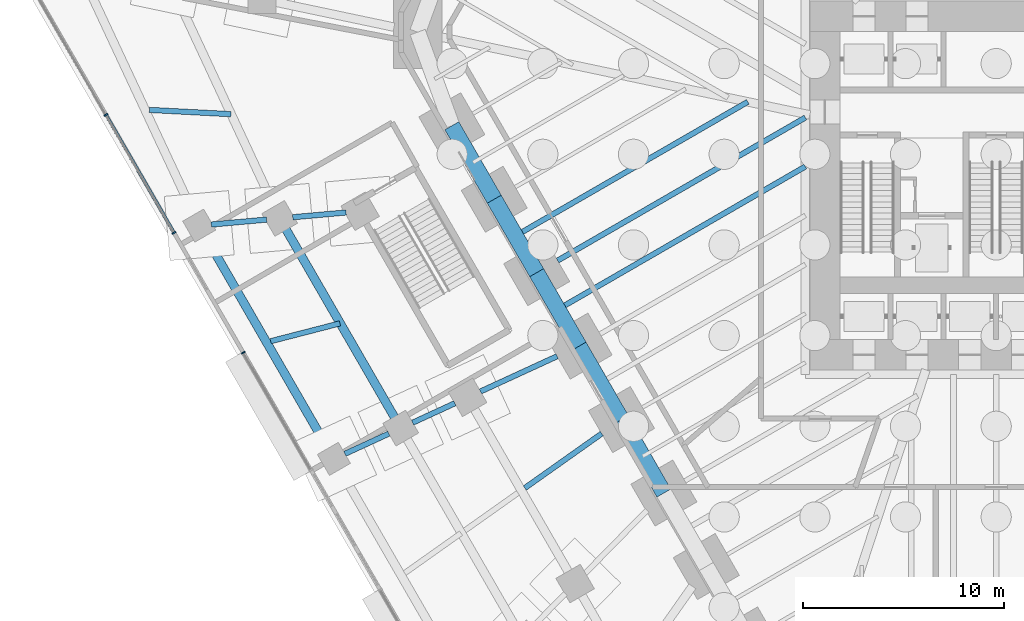
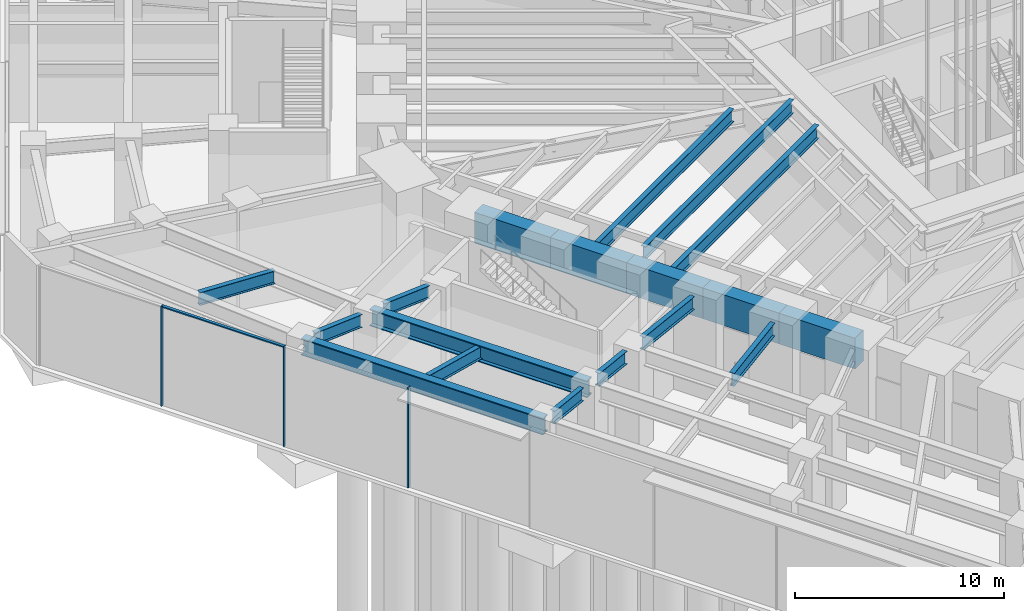
# One storey, part 6 of 34: 18 beams, 4 members, 2 elements without a shape of their own.
"""IFC4 building model written with IfcOpenShell, lengths in metres."""

from ifc_helpers import new_model, si_unit, direction, frame, origin, origin_2d, place, context, subcontext, project, spatial, rectangle, i_section, extrude, material, material_profile, profile_set, type_object, element, aggregate, save


model = new_model("IFC4")

# Units and contexts
model_context = context("Model", 3, precision=1e-05, world=origin(), true_north=direction((0.0, 1.0)))
body_context = subcontext(model_context, "Body", "Model", "MODEL_VIEW")
ifc_project = project(units=[si_unit("LENGTHUNIT", "METRE"), si_unit("AREAUNIT", "SQUARE_METRE"), si_unit("VOLUMEUNIT", "CUBIC_METRE"), si_unit("PLANEANGLEUNIT", "RADIAN"), si_unit("MASSUNIT", "GRAM", prefix="KILO")], contexts=[model_context])

# Site, building, storey
site_placement = place(None, origin())
site = spatial("IfcSite", under=ifc_project, at=site_placement, CompositionType="ELEMENT")
building_placement = place(site_placement, origin())
building = spatial("IfcBuilding", under=site, at=building_placement, Name="Sandreach Pilgrim Tower", CompositionType="ELEMENT")
storey_placement = place(building_placement, origin())
storey = spatial("IfcBuildingStorey", under=building, at=storey_placement, Name="L00", CompositionType="ELEMENT", Elevation=0.0)

# Curtain wall, member
ifc_material_1 = material(Name="Aluminium framed curtain wall", Category="aluminium")
curtain_wall_type = type_object("IfcCurtainWallType", Name="Podium storefront curtain wall", PredefinedType="NOTDEFINED", material=ifc_material_1)
curtain_wall_1_placement = place(storey_placement, origin())
curtain_wall_1 = element("IfcCurtainWall", 1, at=curtain_wall_1_placement, inside=storey, type_object=curtain_wall_type, Name="CW-P L00 SWB", PredefinedType="NOTDEFINED")
ifc_material_2 = material(Name="Aluminium extrusion", Category="aluminium")
ifc_material_profile_1 = material_profile(ifc_material_2, rectangle(XDim=0.070068359375, YDim=0.199951171875, at=origin_2d()), Name="CW-PM 70X200")
ifc_profile_set_1 = profile_set([ifc_material_profile_1], Name="Aluminium extrusion")
member_type_1 = type_object("IfcMemberType", Name="CW-P mullion", PredefinedType="MULLION", material=ifc_profile_set_1)
member_1_placement = place(storey_placement, frame((-37.37060546875, -9.84326171875, 0.0), z_axis=(0.0, 0.0, 1.0), x_axis=(-0.5, 0.866025403784, 0.0)))
member_1 = element("IfcMember", 2, at=member_1_placement, type_object=member_type_1, Name="CW-P mullion 2", PredefinedType="MULLION", context=body_context, shape_type="SweptSolid", body=[
    extrude(rectangle(XDim=0.070068359375, YDim=0.199951171875, at=origin_2d()), origin(), (0.0, 0.0, 1.0), 5.840087890625),
])
aggregate(curtain_wall_1, [member_1])

# Curtain wall, members
curtain_wall_2_placement = place(storey_placement, origin())
curtain_wall_2 = element("IfcCurtainWall", 3, at=curtain_wall_2_placement, inside=storey, type_object=curtain_wall_type, Name="CW-P L00 SWC", PredefinedType="NOTDEFINED")
member_2_placement = place(storey_placement, frame((-40.80419921875, -3.896240234375, 0.0), z_axis=(0.0, 0.0, 1.0), x_axis=(-0.5, 0.866025403784, 0.0)))
member_2 = element("IfcMember", 4, at=member_2_placement, type_object=member_type_1, Name="CW-P mullion 1", PredefinedType="MULLION", context=body_context, shape_type="SweptSolid", body=[
    extrude(rectangle(XDim=0.070068359375, YDim=0.199951171875, at=origin_2d()), origin(), (0.0, 0.0, 1.0), 5.840087890625),
])
member_3_placement = place(storey_placement, frame((-44.18505859375, 1.9599609375, 0.0), z_axis=(0.0, 0.0, 1.0), x_axis=(-0.5, 0.866025403784, 0.0)))
member_3 = element("IfcMember", 5, at=member_3_placement, type_object=member_type_1, Name="CW-P mullion 2", PredefinedType="MULLION", context=body_context, shape_type="SweptSolid", body=[
    extrude(rectangle(XDim=0.070068359375, YDim=0.199951171875, at=origin_2d()), origin(), (0.0, 0.0, 1.0), 5.840087890625),
])
ifc_material_3 = material(Name="Aluminium extrusion", Category="aluminium")
ifc_material_profile_2 = material_profile(ifc_material_3, rectangle(XDim=0.159912109375, YDim=0.070068359375, at=origin_2d()), Name="CW-PT 160X70")
ifc_profile_set_2 = profile_set([ifc_material_profile_2], Name="Aluminium extrusion")
member_type_2 = type_object("IfcMemberType", Name="CW-P transom", PredefinedType="USERDEFINED", material=ifc_profile_set_2)
member_4_placement = place(storey_placement, frame((-40.821533203125, -3.865966796875, 5.804931640625), z_axis=(-0.500007714596, 0.866020949715, 0.0), x_axis=(-0.866020949715, -0.500007714596, 0.0)))
member_4 = element("IfcMember", 6, at=member_4_placement, type_object=member_type_2, Name="CW-P head transom 1", ObjectType="TRANSOM", PredefinedType="USERDEFINED", context=body_context, shape_type="SweptSolid", body=[
    extrude(rectangle(XDim=0.159912109375, YDim=0.070068359375, at=origin_2d()), origin(), (0.0, 0.0, 1.0), 6.6923828125),
])
aggregate(curtain_wall_2, [member_2, member_3, member_4])

# Beams
ifc_material_4 = material(Name="Steel ASTM A992 Grade 50", Category="steel")
ifc_material_profile_3 = material_profile(ifc_material_4, i_section(OverallWidth=0.2666015625, OverallDepth=0.761962890625, WebThickness=0.014404296875, FlangeThickness=0.021484375, at=origin_2d()), Name="W30X116")
ifc_profile_set_3 = profile_set([ifc_material_profile_3], Name="Steel ASTM A992 Grade 50")
beam_type_1 = type_object("IfcBeamType", Name="Floor beam W30X116", PredefinedType="BEAM", material=ifc_profile_set_3)
beam_1_placement = place(storey_placement, frame((-21.76708984375, -5.275390625, 5.458984375), z_axis=(0.866028081176, 0.499995362593, 0.0), x_axis=(-0.499995362593, 0.866028081176, 0.0)))
element("IfcBeam", 7, at=beam_1_placement, inside=storey, type_object=beam_type_1, Name="BM L00 F32", PredefinedType="BEAM", context=body_context, shape_type="SweptSolid", body=[
    extrude(i_section(OverallWidth=0.2666015625, OverallDepth=0.761962890625, WebThickness=0.014404296875, FlangeThickness=0.021484375, at=origin_2d()), origin(), (0.0, 0.0, 1.0), 14.197021484375),
])
beam_2_placement = place(storey_placement, frame((-21.75390625, -7.698486328125, 5.458984375), z_axis=(0.866019310865, 0.500010553097, 0.0), x_axis=(-0.500010553097, 0.866019310865, 0.0)))
element("IfcBeam", 8, at=beam_2_placement, inside=storey, type_object=beam_type_1, Name="BM L00 FM31", PredefinedType="BEAM", context=body_context, shape_type="SweptSolid", body=[
    extrude(i_section(OverallWidth=0.2666015625, OverallDepth=0.761962890625, WebThickness=0.014404296875, FlangeThickness=0.021484375, at=origin_2d()), origin(), (0.0, 0.0, 1.0), 14.181884765625),
])
beam_3_placement = place(storey_placement, frame((-23.85888671875, -4.052490234375, 5.458984375), z_axis=(0.866029213426, 0.499993401449, 0.0), x_axis=(-0.499993401449, 0.866029213426, 0.0)))
element("IfcBeam", 9, at=beam_3_placement, inside=storey, type_object=beam_type_1, Name="BM L00 FM32", PredefinedType="BEAM", context=body_context, shape_type="SweptSolid", body=[
    extrude(i_section(OverallWidth=0.2666015625, OverallDepth=0.761962890625, WebThickness=0.014404296875, FlangeThickness=0.021484375, at=origin_2d()), origin(), (0.0, 0.0, 1.0), 13.311767578125),
])
ifc_material_5 = material(Name="Steel ASTM A992 Grade 50", Category="steel")
ifc_material_profile_4 = material_profile(ifc_material_5, i_section(OverallWidth=0.2666015625, OverallDepth=0.7568359375, WebThickness=0.013916015625, FlangeThickness=0.019287109375, at=origin_2d()), Name="W30X108")
ifc_profile_set_4 = profile_set([ifc_material_profile_4], Name="Steel ASTM A992 Grade 50")
beam_type_2 = type_object("IfcBeamType", Name="Podium beam W30X108", PredefinedType="BEAM", material=ifc_profile_set_4)
beam_4_placement = place(storey_placement, frame((-19.575927734375, -13.86083984375, 5.46142578125), z_axis=(-0.816139386299, -0.577855087484, 0.0), x_axis=(0.577855087484, -0.816139386299, 0.0)))
element("IfcBeam", 10, at=beam_4_placement, inside=storey, type_object=beam_type_2, Name="BM L00 PR125-30", PredefinedType="BEAM", context=body_context, shape_type="SweptSolid", body=[
    extrude(i_section(OverallWidth=0.2666015625, OverallDepth=0.7568359375, WebThickness=0.013916015625, FlangeThickness=0.019287109375, at=origin_2d()), origin(), (0.0, 0.0, 1.0), 4.67626953125),
])
beam_5_placement = place(storey_placement, frame((-21.791748046875, -10.02294921875, 5.46142578125), z_axis=(-0.908514796511, -0.417852682797, 0.0), x_axis=(0.417852682797, -0.908514796511, 0.0)))
element("IfcBeam", 11, at=beam_5_placement, inside=storey, type_object=beam_type_2, Name="BM L00 PR125-31", PredefinedType="BEAM", context=body_context, shape_type="SweptSolid", body=[
    extrude(i_section(OverallWidth=0.2666015625, OverallDepth=0.7568359375, WebThickness=0.013916015625, FlangeThickness=0.019287109375, at=origin_2d()), origin(), (0.0, 0.0, 1.0), 4.18798828125),
])
beam_6_placement = place(storey_placement, frame((-26.86865234375, -12.35791015625, 5.46142578125), z_axis=(-0.908498502067, -0.417888109119, 0.0), x_axis=(0.417888109119, -0.908498502067, 0.0)))
element("IfcBeam", 12, at=beam_6_placement, inside=storey, type_object=beam_type_2, Name="BM L00 PR140-31", PredefinedType="BEAM", context=body_context, shape_type="SweptSolid", body=[
    extrude(i_section(OverallWidth=0.2666015625, OverallDepth=0.7568359375, WebThickness=0.013916015625, FlangeThickness=0.019287109375, at=origin_2d()), origin(), (0.0, 0.0, 1.0), 2.302978515625),
])
beam_7_placement = place(storey_placement, frame((-32.2646484375, -2.8876953125, 5.46142578125), z_axis=(-0.996019388322, -0.089136850328, 0.0), x_axis=(0.089136850328, -0.996019388322, 0.0)))
element("IfcBeam", 13, at=beam_7_placement, inside=storey, type_object=beam_type_2, Name="BM L00 PR140-33", PredefinedType="BEAM", context=body_context, shape_type="SweptSolid", body=[
    extrude(i_section(OverallWidth=0.2666015625, OverallDepth=0.7568359375, WebThickness=0.013916015625, FlangeThickness=0.019287109375, at=origin_2d()), origin(), (0.0, 0.0, 1.0), 2.659423828125),
])
beam_8_placement = place(storey_placement, frame((-30.141845703125, -13.863525390625, 5.37158203125), z_axis=(-0.908541365248, -0.417794910971, 0.0), x_axis=(0.417794910971, -0.908541365248, 0.0)))
element("IfcBeam", 14, at=beam_8_placement, inside=storey, type_object=beam_type_2, Name="BM L00 PR155-31", PredefinedType="BEAM", context=body_context, shape_type="SweptSolid", body=[
    extrude(i_section(OverallWidth=0.2666015625, OverallDepth=0.7568359375, WebThickness=0.013916015625, FlangeThickness=0.019287109375, at=origin_2d()), origin(), (0.0, 0.0, 1.0), 2.40283203125),
])
beam_9_placement = place(storey_placement, frame((-32.5712890625, -8.39111328125, 5.37158203125), z_axis=(-0.968368054578, -0.249526172721, 0.0), x_axis=(0.249526172721, -0.968368054578, 0.0)))
element("IfcBeam", 15, at=beam_9_placement, inside=storey, type_object=beam_type_2, Name="BM L00 PR155-32", PredefinedType="BEAM", context=body_context, shape_type="SweptSolid", body=[
    extrude(i_section(OverallWidth=0.2666015625, OverallDepth=0.7568359375, WebThickness=0.013916015625, FlangeThickness=0.019287109375, at=origin_2d()), origin(), (0.0, 0.0, 1.0), 3.546875),
])
beam_10_placement = place(storey_placement, frame((-36.20849609375, -3.24072265625, 5.37158203125), z_axis=(-0.996015563575, -0.089179577908, 0.0), x_axis=(0.089179577908, -0.996015563575, 0.0)))
element("IfcBeam", 16, at=beam_10_placement, inside=storey, type_object=beam_type_2, Name="BM L00 PR155-33", PredefinedType="BEAM", context=body_context, shape_type="SweptSolid", body=[
    extrude(i_section(OverallWidth=0.2666015625, OverallDepth=0.7568359375, WebThickness=0.013916015625, FlangeThickness=0.019287109375, at=origin_2d()), origin(), (0.0, 0.0, 1.0), 2.759521484375),
])
beam_11_placement = place(storey_placement, frame((-37.9853515625, 1.9912109375, 5.37158203125), z_axis=(-0.998627799738, 0.052369051836, 0.0), x_axis=(-0.052369051836, -0.998627799738, 0.0)))
element("IfcBeam", 17, at=beam_11_placement, inside=storey, type_object=beam_type_2, Name="BM L00 PR155-34", PredefinedType="BEAM", context=body_context, shape_type="SweptSolid", body=[
    extrude(i_section(OverallWidth=0.2666015625, OverallDepth=0.7568359375, WebThickness=0.013916015625, FlangeThickness=0.019287109375, at=origin_2d()), origin(), (0.0, 0.0, 1.0), 4.05126953125),
])
ifc_material_6 = material(Name="Steel ASTM A992 Grade 50", Category="steel")
ifc_material_profile_5 = material_profile(ifc_material_6, i_section(OverallWidth=0.4267578125, OverallDepth=0.975341796875, WebThickness=0.031005859375, FlangeThickness=0.055908203125, at=origin_2d()), Name="W36X395")
ifc_profile_set_5 = profile_set([ifc_material_profile_5], Name="Steel ASTM A992 Grade 50")
beam_type_3 = type_object("IfcBeamType", Name="Podium edge beam W36X395", PredefinedType="BEAM", material=ifc_profile_set_5)
beam_12_placement = place(storey_placement, frame((-29.551513671875, -13.591796875, 5.352294921875), z_axis=(-0.499994992015, 0.866028295127, 0.0), x_axis=(-0.866028295127, -0.499994992015, 0.0)))
element("IfcBeam", 18, at=beam_12_placement, inside=storey, type_object=beam_type_3, Name="BM L00 PE140-31", PredefinedType="BEAM", context=body_context, shape_type="SweptSolid", body=[
    extrude(i_section(OverallWidth=0.4267578125, OverallDepth=0.975341796875, WebThickness=0.031005859375, FlangeThickness=0.055908203125, at=origin_2d()), origin(), (0.0, 0.0, 1.0), 12.01904296875),
])
beam_13_placement = place(storey_placement, frame((-32.8701171875, -15.1181640625, 5.26220703125), z_axis=(-0.500004357924, 0.866022887721, 0.0), x_axis=(-0.866022887721, -0.500004357924, 0.0)))
element("IfcBeam", 19, at=beam_13_placement, inside=storey, type_object=beam_type_3, Name="BM L00 PE155-31", PredefinedType="BEAM", context=body_context, shape_type="SweptSolid", body=[
    extrude(i_section(OverallWidth=0.4267578125, OverallDepth=0.975341796875, WebThickness=0.031005859375, FlangeThickness=0.055908203125, at=origin_2d()), origin(), (0.0, 0.0, 1.0), 13.369140625),
])
ifc_material_7 = material(Name="Concrete 10000 psi", Category="concrete")
ifc_material_profile_6 = material_profile(ifc_material_7, rectangle(XDim=0.800048828125, YDim=1.800048828125, at=origin_2d()), Name="RC800X1800")
ifc_profile_set_6 = profile_set([ifc_material_profile_6], Name="Concrete 10000 psi")
beam_type_4 = type_object("IfcBeamType", Name="Spandrel beam RC800X1800", PredefinedType="SPANDREL", material=ifc_profile_set_6)
beam_14_placement = place(storey_placement, frame((-16.491455078125, -16.813232421875, 4.93994140625), z_axis=(-0.499993523031, 0.866029143232, 0.0), x_axis=(-0.866029143232, -0.499993523031, 0.0)))
element("IfcBeam", 20, at=beam_14_placement, inside=storey, type_object=beam_type_4, Name="BM L00 SP29", PredefinedType="SPANDREL", context=body_context, shape_type="SweptSolid", body=[
    extrude(rectangle(XDim=0.800048828125, YDim=1.800048828125, at=origin_2d()), origin(), (0.0, 0.0, 1.0), 4.2099609375),
])
beam_15_placement = place(storey_placement, frame((-18.596435546875, -13.167236328125, 4.93994140625), z_axis=(-0.50001863446, 0.866014644907, 0.0), x_axis=(-0.866014644907, -0.50001863446, 0.0)))
element("IfcBeam", 21, at=beam_15_placement, inside=storey, type_object=beam_type_4, Name="BM L00 SP30", PredefinedType="SPANDREL", context=body_context, shape_type="SweptSolid", body=[
    extrude(rectangle(XDim=0.800048828125, YDim=1.800048828125, at=origin_2d()), origin(), (0.0, 0.0, 1.0), 4.209716796875),
])
beam_16_placement = place(storey_placement, frame((-20.701416015625, -9.521484375, 4.93994140625), z_axis=(-0.499993523031, 0.866029143232, 0.0), x_axis=(-0.866029143232, -0.499993523031, 0.0)))
element("IfcBeam", 22, at=beam_16_placement, inside=storey, type_object=beam_type_4, Name="BM L00 SP31", PredefinedType="SPANDREL", context=body_context, shape_type="SweptSolid", body=[
    extrude(rectangle(XDim=0.800048828125, YDim=1.800048828125, at=origin_2d()), origin(), (0.0, 0.0, 1.0), 4.2099609375),
])
beam_17_placement = place(storey_placement, frame((-22.806396484375, -5.87548828125, 4.93994140625), z_axis=(-0.50001863446, 0.866014644907, 0.0), x_axis=(-0.866014644907, -0.50001863446, 0.0)))
element("IfcBeam", 23, at=beam_17_placement, inside=storey, type_object=beam_type_4, Name="BM L00 SP32", PredefinedType="SPANDREL", context=body_context, shape_type="SweptSolid", body=[
    extrude(rectangle(XDim=0.800048828125, YDim=1.800048828125, at=origin_2d()), origin(), (0.0, 0.0, 1.0), 4.209716796875),
])
beam_18_placement = place(storey_placement, frame((-24.911376953125, -2.229736328125, 4.93994140625), z_axis=(-0.499993523031, 0.866029143232, 0.0), x_axis=(-0.866029143232, -0.499993523031, 0.0)))
element("IfcBeam", 24, at=beam_18_placement, inside=storey, type_object=beam_type_4, Name="BM L00 SP33", PredefinedType="SPANDREL", context=body_context, shape_type="SweptSolid", body=[
    extrude(rectangle(XDim=0.800048828125, YDim=1.800048828125, at=origin_2d()), origin(), (0.0, 0.0, 1.0), 4.2099609375),
])

save(model, "model.ifc")
